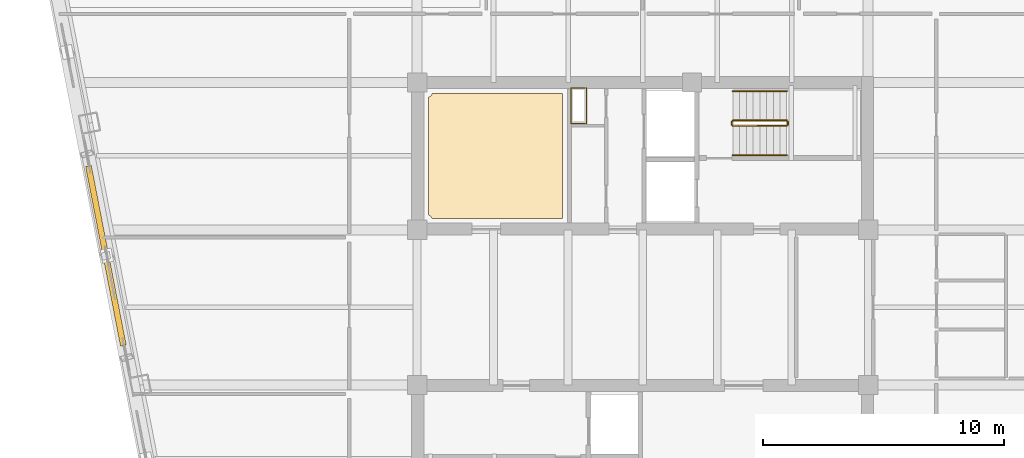
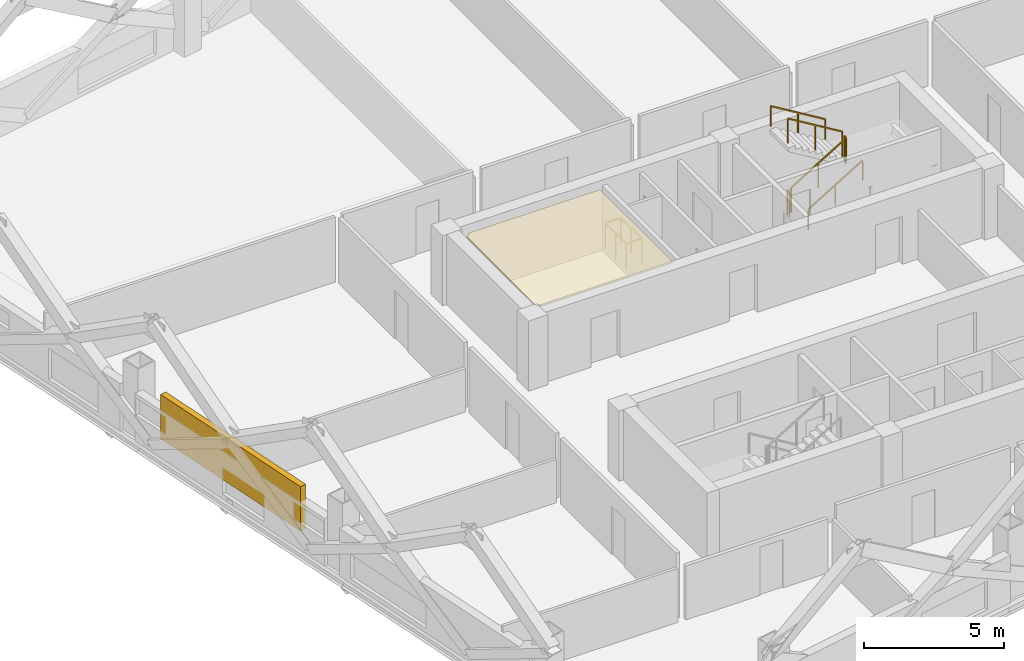
# One storey, part 9 of 10: 7 railings, 1 covering, 1 shading device.
"""IFC4 building model written with IfcOpenShell, lengths in metres."""

import ifcopenshell
import ifcopenshell.guid

model = None  # the IFC model being written
_history = None  # IfcOwnerHistory: only IFC2X3 demands one
_inside = {}  # id of a spatial element -> (the spatial element, [elements in it])
_under = {}  # id of a project, library or spatial element -> (it, [spatial elements below it])
_declared = {}  # id of a project -> (the project, [libraries it declares])
_typed = {}  # id of a type object -> (the type object, [elements of that type])
_made_of = {}  # id of a material, layer set ... -> (it, [elements and type objects made of it])


def new_model(schema):
    """Start an empty IFC model of exactly this schema.

    Asked for "IFC4X3", IfcOpenShell would pick the latest addendum, in which some entities
    have other attributes; the version numbers below select the first issue.
    IFC2X3 requires an IfcOwnerHistory on every rooted entity: one is made here for all.
    """
    global model, _history
    if schema == "IFC4X3":
        model = ifcopenshell.file(schema_version=(4, 3, 0, 0))
    else:
        model = ifcopenshell.file(schema=schema)
    _inside.clear()
    _under.clear()
    _declared.clear()
    _typed.clear()
    _made_of.clear()
    _history = None
    if model.schema == "IFC2X3":
        org = make("IfcOrganization", Name="unknown")
        user = make(
            "IfcPersonAndOrganization",
            ThePerson=make("IfcPerson", FamilyName="unknown"),
            TheOrganization=org,
        )
        app = make(
            "IfcApplication",
            ApplicationDeveloper=org,
            Version="unknown",
            ApplicationFullName="unknown",
            ApplicationIdentifier="unknown",
        )
        _history = make(
            "IfcOwnerHistory",
            OwningUser=user,
            OwningApplication=app,
            ChangeAction="ADDED",
            CreationDate=0,
        )
    return model


def make(cls, **values):
    """One entity of the class cls with the attributes given. An attribute that is None is left unset."""
    return model.create_entity(
        cls, **{name: value for name, value in values.items() if value is not None}
    )


def rooted(cls, **values):
    """An entity with a GlobalId (a new one), such as an element, a storey or a relation."""
    return make(cls, GlobalId=ifcopenshell.guid.new(), OwnerHistory=_history, **values)


def si_unit(unit_type, name, prefix=None):
    """IfcSIUnit, for example si_unit("LENGTHUNIT", "METRE", prefix="MILLI")."""
    return make("IfcSIUnit", UnitType=unit_type, Prefix=prefix, Name=name)


def assignment(units):
    """IfcUnitAssignment: the units of a project."""
    return None if units is None else make("IfcUnitAssignment", Units=units)


def point(xyz):
    """IfcCartesianPoint."""
    return None if xyz is None else make("IfcCartesianPoint", Coordinates=xyz)


def direction(xyz):
    """IfcDirection."""
    return None if xyz is None else make("IfcDirection", DirectionRatios=xyz)


def frame(location, z_axis=None, x_axis=None):
    """IfcAxis2Placement3D, a coordinate frame: its origin and axes. An axis left out is left unset."""
    return make(
        "IfcAxis2Placement3D",
        Location=point(location),
        Axis=direction(z_axis),
        RefDirection=direction(x_axis),
    )


def frame_2d(location, x_axis=None):
    """IfcAxis2Placement2D, a coordinate frame in the plane: its origin and x axis."""
    return make(
        "IfcAxis2Placement2D", Location=point(location), RefDirection=direction(x_axis)
    )


def origin():
    """The frame at (0, 0, 0) with its axes left unset."""
    return frame((0.0, 0.0, 0.0))


def origin_2d():
    """The frame at (0, 0) in the plane with its x axis left unset."""
    return frame_2d((0.0, 0.0))


def place(relative_to, where):
    """IfcLocalPlacement: puts the frame where relative to a parent placement (None: the world)."""
    return make(
        "IfcLocalPlacement", PlacementRelTo=relative_to, RelativePlacement=where
    )


def context(
    kind, dimensions, precision=None, world=None, true_north=None, identifier=None
):
    """IfcGeometricRepresentationContext, for example the 3D "Model" context."""
    return make(
        "IfcGeometricRepresentationContext",
        ContextIdentifier=identifier,
        ContextType=kind,
        CoordinateSpaceDimension=dimensions,
        Precision=precision,
        WorldCoordinateSystem=world,
        TrueNorth=true_north,
    )


def subcontext(parent, identifier, kind, view, scale=None):
    """IfcGeometricRepresentationSubContext, for example "Body" below "Model"."""
    return make(
        "IfcGeometricRepresentationSubContext",
        ContextIdentifier=identifier,
        ContextType=kind,
        ParentContext=parent,
        TargetScale=scale,
        TargetView=view,
    )


def project(units=None, contexts=None):
    """IfcProject with its units and contexts."""
    return rooted(
        "IfcProject",
        Name="project",
        RepresentationContexts=contexts,
        UnitsInContext=assignment(units),
    )


def spatial(cls, under=None, at=None, **own):
    """A site, building, storey or space (cls), placed at a placement, below another one or the project."""
    s = rooted(cls, ObjectPlacement=at, **own)
    if under is not None:
        _under.setdefault(under.id(), (under, []))[1].append(s)
    return s


def polyline(points):
    """IfcPolyline through the points."""
    return make("IfcPolyline", Points=[point(p) for p in points])


def profile(cls, at=None, kind="AREA", **sizes):
    """A parametric profile (cls). Its sizes go by their IFC names, for example OverallWidth=200.0."""
    return make(cls, ProfileType=kind, Position=at, **sizes)


def rectangle(**sizes):
    """IfcRectangleProfileDef."""
    return profile("IfcRectangleProfileDef", **sizes)


def outline(outer, holes=None, kind="AREA"):
    """IfcArbitraryClosedProfileDef: a profile drawn as a closed curve; with holes, ...WithVoids."""
    if holes is None:
        return make("IfcArbitraryClosedProfileDef", ProfileType=kind, OuterCurve=outer)
    return make(
        "IfcArbitraryProfileDefWithVoids",
        ProfileType=kind,
        OuterCurve=outer,
        InnerCurves=holes,
    )


def extrude(swept, where, along, depth):
    """IfcExtrudedAreaSolid: the profile swept, set in the frame where, extruded along a direction by depth."""
    return make(
        "IfcExtrudedAreaSolid",
        SweptArea=swept,
        Position=where,
        ExtrudedDirection=direction(along),
        Depth=depth,
    )


def shape(context_of_items, identifier, shape_type, items):
    """IfcShapeRepresentation: the items that make up one representation, for example the "Body"."""
    return make(
        "IfcShapeRepresentation",
        ContextOfItems=context_of_items,
        RepresentationIdentifier=identifier,
        RepresentationType=shape_type,
        Items=items,
    )


def material(Name=None, Category=None):
    """IfcMaterial."""
    return make("IfcMaterial", Name=Name, Category=Category)


def layer(
    of_material, thickness, ventilated=None, Name=None, Category=None, Priority=None
):
    """IfcMaterialLayer: one layer of a wall or slab, of a material (None: an air gap)."""
    return make(
        "IfcMaterialLayer",
        Material=of_material,
        LayerThickness=thickness,
        IsVentilated=ventilated,
        Name=Name,
        Category=Category,
        Priority=Priority,
    )


def layer_set(layers, Name=None):
    """IfcMaterialLayerSet."""
    return make("IfcMaterialLayerSet", MaterialLayers=layers, LayerSetName=Name)


def made_of(thing, what):
    """Note that an element or type object is made of a material, layer set ...; save() writes the relation."""
    if what is not None:
        _made_of.setdefault(what.id(), (what, []))[1].append(thing)
    return thing


def type_object(cls, material=None, **own):
    """A type object (cls), such as IfcWallType, which elements share."""
    return made_of(rooted(cls, **own), material)


def element(
    cls,
    number,
    at=None,
    inside=None,
    cuts=None,
    type_object=None,
    material=None,
    context=None,
    identifier="Body",
    shape_type=None,
    held_by="IfcProductDefinitionShape",
    body=None,
    shapes=None,
    **own,
):
    """One element of the class cls, such as IfcWall. Its Tag is "e" and its number.

    at: its placement. inside: the storey or other place that contains it. cuts: it is an
    opening in that element (IfcRelVoidsElement). A single representation is given by context,
    identifier, shape_type and body (its items); several are given by shapes. held_by: the class
    of the entity that holds the representations. save() writes the other relations.
    """
    e = rooted(cls, Tag="e%d" % number, ObjectPlacement=at, **own)
    if body is not None:
        shapes = [shape(context, identifier, shape_type, body)]
    if shapes is not None:
        e.Representation = make(held_by, Representations=shapes)
    if inside is not None:
        _inside.setdefault(inside.id(), (inside, []))[1].append(e)
    if cuts is not None:
        rooted(
            "IfcRelVoidsElement", RelatingBuildingElement=cuts, RelatedOpeningElement=e
        )
    if type_object is not None:
        _typed.setdefault(type_object.id(), (type_object, []))[1].append(e)
    return made_of(e, material)


def aggregate(whole, parts):
    """IfcRelAggregates: a whole, such as a stair, and the parts it consists of."""
    return rooted("IfcRelAggregates", RelatingObject=whole, RelatedObjects=parts)


def save(model, path):
    """Write the relations noted so far, then the file.

    IfcRelAggregates (storeys below a building ...), IfcRelContainedInSpatialStructure (elements
    in a storey), IfcRelDefinesByType, IfcRelAssociatesMaterial and IfcRelDeclares: one each for
    every whole, place, type object, material and project.
    """
    for whole, parts in _under.values():
        aggregate(whole, parts)
    for where, things in _inside.values():
        rooted(
            "IfcRelContainedInSpatialStructure",
            RelatedElements=things,
            RelatingStructure=where,
        )
    for kind, things in _typed.values():
        rooted("IfcRelDefinesByType", RelatedObjects=things, RelatingType=kind)
    for what, things in _made_of.values():
        rooted("IfcRelAssociatesMaterial", RelatedObjects=things, RelatingMaterial=what)
    for by, libraries in _declared.values():
        rooted("IfcRelDeclares", RelatingContext=by, RelatedDefinitions=libraries)
    model.write(path)


model = new_model("IFC4")

# Units and contexts
model_context = context("Model", 3, precision=1e-05, world=origin(), true_north=direction((0.0, 1.0)))
body_context = subcontext(model_context, "Body", "Model", "MODEL_VIEW")
ifc_project = project(units=[si_unit("LENGTHUNIT", "METRE"), si_unit("AREAUNIT", "SQUARE_METRE"), si_unit("VOLUMEUNIT", "CUBIC_METRE"), si_unit("PLANEANGLEUNIT", "RADIAN"), si_unit("MASSUNIT", "GRAM", prefix="KILO")], contexts=[model_context])

# Site, building, storey
site_placement = place(None, origin())
site = spatial("IfcSite", under=ifc_project, at=site_placement, CompositionType="ELEMENT")
building_placement = place(site_placement, origin())
building = spatial("IfcBuilding", under=site, at=building_placement, Name="Qhalaya Broadcast Tower", CompositionType="ELEMENT")
storey_placement = place(building_placement, frame((0.0, 0.0, 131.10009765625)))
storey = spatial("IfcBuildingStorey", under=building, at=storey_placement, Name="L38", CompositionType="ELEMENT", Elevation=131.10009765625)

# Covering
ifc_material_1 = material(Name="Acoustic Mineral-Fibre Ceiling")
ifc_layer = layer(ifc_material_1, 0.0400390625, Name="Acoustic Mineral-Fibre Ceiling")
ifc_layer_set = layer_set([ifc_layer], Name="Acoustic Mineral-Fibre Ceiling")
covering_type = type_object("IfcCoveringType", Name="Acoustic Mineral-Fibre Suspended Ceiling CLG-01", PredefinedType="CEILING", material=ifc_layer_set)
covering_placement = place(storey_placement, frame((0.0, 0.0, 2.789794921875)))
element("IfcCovering", 1, at=covering_placement, inside=storey, type_object=covering_type, Name="L38 Acoustic Suspended Ceiling 01", PredefinedType="CEILING", context=body_context, shape_type="SweptSolid", body=[
    extrude(outline(polyline([(-8.89697265625, 9.338623046875), (-8.89990234375, 9.337890625), (-8.89990234375, 4.437255859375), (-8.89697265625, 4.436279296875), (-8.87841796875, 4.4296875), (-8.860595703125, 4.42138671875), (-8.843994140625, 4.411376953125), (-8.828125, 4.399658203125), (-8.813720703125, 4.386474609375), (-8.80029296875, 4.371826171875), (-8.788818359375, 4.356201171875), (-8.778564453125, 4.33935546875), (-8.770263671875, 4.321533203125), (-8.763671875, 4.302978515625), (-8.7626953125, 4.300048828125), (-3.330078125, 4.300048828125), (-3.330078125, 9.5), (-8.757568359375, 9.5), (-8.7587890625, 9.490966796875), (-8.763671875, 9.471923828125), (-8.770263671875, 9.45361328125), (-8.778564453125, 9.435791015625), (-8.788818359375, 9.4189453125), (-8.80029296875, 9.403076171875), (-8.813720703125, 9.388671875), (-8.828125, 9.37548828125), (-8.843994140625, 9.36376953125), (-8.860595703125, 9.353515625), (-8.87841796875, 9.34521484375), (-8.89697265625, 9.338623046875)])), origin(), (0.0, 0.0, 1.0), 0.0400390625),
])

# Railings
ifc_material_2 = material(Name="Powder-Coated Galvanised Steel", Category="steel")
railing_type_1 = type_object("IfcRailingType", Name="Stair Wall Handrail 900", PredefinedType="HANDRAIL", material=ifc_material_2)
railing_1_placement = place(storey_placement, frame((3.75, 6.929931640625, 0.16943359375)))
element("IfcRailing", 2, at=railing_1_placement, inside=storey, type_object=railing_type_1, Name="L38 ST-1 Stair Handrail 1", PredefinedType="HANDRAIL", context=body_context, shape_type="SweptSolid", body=[
    extrude(rectangle(XDim=0.048095703125, YDim=0.048095703125, at=origin_2d()), frame((0.0, 0.0, 0.8759765625), z_axis=(0.855553338991, 0.0, 0.51771467445), x_axis=(0.0, 1.0, 0.0)), (0.0, 0.0, 1.0), 2.6181640625),
    extrude(rectangle(XDim=0.0419921875, YDim=0.0419921875, at=origin_2d()), origin(), (0.0, 0.0, 1.0), 0.849853515625),
    extrude(rectangle(XDim=0.0419921875, YDim=0.0419921875, at=origin_2d()), frame((1.1201171875, 0.0, 0.677734375)), (0.0, 0.0, 1.0), 0.849853515625),
    extrude(rectangle(XDim=0.0419921875, YDim=0.0419921875, at=origin_2d()), frame((2.239990234375, 0.0, 1.35546875)), (0.0, 0.0, 1.0), 0.849853515625),
])
railing_2_placement = place(storey_placement, frame((5.989990234375, 9.590087890625, 1.6943359375)))
element("IfcRailing", 3, at=railing_2_placement, inside=storey, type_object=railing_type_1, Name="L38 ST-1 Stair Handrail 2", PredefinedType="HANDRAIL", context=body_context, shape_type="SweptSolid", body=[
    extrude(rectangle(XDim=0.048095703125, YDim=0.048095703125, at=origin_2d()), frame((0.0, 0.0, 0.8759765625), z_axis=(-0.855553338991, 0.0, 0.51771467445), x_axis=(0.0, -1.0, 0.0)), (0.0, 0.0, 1.0), 2.6181640625),
    extrude(rectangle(XDim=0.0419921875, YDim=0.0419921875, at=origin_2d()), origin(), (0.0, 0.0, 1.0), 0.849853515625),
    extrude(rectangle(XDim=0.0419921875, YDim=0.0419921875, at=origin_2d()), frame((-1.1201171875, 0.0, 0.677734375)), (0.0, 0.0, 1.0), 0.849853515625),
    extrude(rectangle(XDim=0.0419921875, YDim=0.0419921875, at=origin_2d()), frame((-2.239990234375, 0.0, 1.35546875)), (0.0, 0.0, 1.0), 0.849853515625),
])
railing_type_2 = type_object("IfcRailingType", Name="Stair Well & Landing Guardrail 1100", PredefinedType="GUARDRAIL", material=ifc_material_2)
railing_3_placement = place(storey_placement, frame((-2.340087890625, 8.239990234375, 0.0)))
element("IfcRailing", 4, at=railing_3_placement, inside=storey, type_object=railing_type_2, Name="L38 Service Riser Opening Safety Guard NRSR", PredefinedType="GUARDRAIL", context=body_context, shape_type="SweptSolid", body=[
    extrude(rectangle(XDim=0.048095703125, YDim=0.048095703125, at=origin_2d()), frame((0.0, 0.02880859375, 1.1259765625), z_axis=(0.0, 1.0, 0.0), x_axis=(-1.0, 0.0, 0.0)), (0.0, 0.0, 1.0), 1.42236328125),
    extrude(rectangle(XDim=0.048095703125, YDim=0.048095703125, at=origin_2d()), frame((-0.02880859375, 1.47998046875, 1.1259765625), z_axis=(-1.0, 0.0, 0.0), x_axis=(0.0, -1.0, 0.0)), (0.0, 0.0, 1.0), 0.582275390625),
    extrude(rectangle(XDim=0.048095703125, YDim=0.048095703125, at=origin_2d()), frame((-0.639892578125, 1.451171875, 1.1259765625), z_axis=(0.0, -1.0, 0.0), x_axis=(1.0, 0.0, 0.0)), (0.0, 0.0, 1.0), 1.42236328125),
    extrude(rectangle(XDim=0.048095703125, YDim=0.048095703125, at=origin_2d()), frame((-0.611083984375, 0.0, 1.1259765625), z_axis=(1.0, 0.0, 0.0), x_axis=(0.0, 1.0, 0.0)), (0.0, 0.0, 1.0), 0.582275390625),
    extrude(rectangle(XDim=0.0419921875, YDim=0.0419921875, at=origin_2d()), origin(), (0.0, 0.0, 1.0), 1.099853515625),
    extrude(rectangle(XDim=0.0419921875, YDim=0.0419921875, at=origin_2d()), frame((0.0, 0.739990234375, 0.0)), (0.0, 0.0, 1.0), 1.099853515625),
    extrude(rectangle(XDim=0.0419921875, YDim=0.0419921875, at=origin_2d()), frame((0.0, 1.47998046875, 0.0)), (0.0, 0.0, 1.0), 1.099853515625),
    extrude(rectangle(XDim=0.0419921875, YDim=0.0419921875, at=origin_2d()), frame((-0.639892578125, 1.47998046875, 0.0)), (0.0, 0.0, 1.0), 1.099853515625),
    extrude(rectangle(XDim=0.0419921875, YDim=0.0419921875, at=origin_2d()), frame((-0.639892578125, 0.739990234375, 0.0)), (0.0, 0.0, 1.0), 1.099853515625),
    extrude(rectangle(XDim=0.0419921875, YDim=0.0419921875, at=origin_2d()), frame((-0.639892578125, 0.0, 0.0)), (0.0, 0.0, 1.0), 1.099853515625),
])
railing_4_placement = place(storey_placement, frame((3.75, 8.14990234375, 0.16943359375)))
element("IfcRailing", 5, at=railing_4_placement, inside=storey, type_object=railing_type_2, Name="L38 ST-1 Stair Guard 1", PredefinedType="GUARDRAIL", context=body_context, shape_type="SweptSolid", body=[
    extrude(rectangle(XDim=0.048095703125, YDim=0.048095703125, at=origin_2d()), frame((0.0, 0.0, 1.076171875), z_axis=(0.855553338991, 0.0, 0.51771467445), x_axis=(0.0, 1.0, 0.0)), (0.0, 0.0, 1.0), 2.6181640625),
    extrude(rectangle(XDim=0.0419921875, YDim=0.0419921875, at=origin_2d()), origin(), (0.0, 0.0, 1.0), 1.050048828125),
    extrude(rectangle(XDim=0.0419921875, YDim=0.0419921875, at=origin_2d()), frame((1.1201171875, 0.0, 0.677734375)), (0.0, 0.0, 1.0), 1.050048828125),
    extrude(rectangle(XDim=0.0419921875, YDim=0.0419921875, at=origin_2d()), frame((2.239990234375, 0.0, 1.35546875)), (0.0, 0.0, 1.0), 1.050048828125),
])
railing_5_placement = place(storey_placement, frame((6.0400390625, 8.199951171875, 1.52490234375)))
element("IfcRailing", 6, at=railing_5_placement, inside=storey, type_object=railing_type_2, Name="L38 ST-1 Stair Guard 2", PredefinedType="GUARDRAIL", context=body_context, shape_type="SweptSolid", body=[
    extrude(rectangle(XDim=0.048095703125, YDim=0.048095703125, at=origin_2d()), frame((0.0, 0.0, 1.076171875), z_axis=(0.0, 1.0, 0.0), x_axis=(-1.0, 0.0, 0.0)), (0.0, 0.0, 1.0), 0.1201171875),
    extrude(rectangle(XDim=0.0419921875, YDim=0.0419921875, at=origin_2d()), origin(), (0.0, 0.0, 1.0), 1.050048828125),
    extrude(rectangle(XDim=0.0419921875, YDim=0.0419921875, at=origin_2d()), frame((0.0, 0.1201171875, 0.0)), (0.0, 0.0, 1.0), 1.050048828125),
])
railing_6_placement = place(storey_placement, frame((5.989990234375, 8.3701171875, 1.6943359375)))
element("IfcRailing", 7, at=railing_6_placement, inside=storey, type_object=railing_type_2, Name="L38 ST-1 Stair Guard 3", PredefinedType="GUARDRAIL", context=body_context, shape_type="SweptSolid", body=[
    extrude(rectangle(XDim=0.048095703125, YDim=0.048095703125, at=origin_2d()), frame((0.0, 0.0, 1.076171875), z_axis=(-0.855553338991, 0.0, 0.51771467445), x_axis=(0.0, -1.0, 0.0)), (0.0, 0.0, 1.0), 2.6181640625),
    extrude(rectangle(XDim=0.0419921875, YDim=0.0419921875, at=origin_2d()), origin(), (0.0, 0.0, 1.0), 1.050048828125),
    extrude(rectangle(XDim=0.0419921875, YDim=0.0419921875, at=origin_2d()), frame((-1.1201171875, 0.0, 0.677734375)), (0.0, 0.0, 1.0), 1.050048828125),
    extrude(rectangle(XDim=0.0419921875, YDim=0.0419921875, at=origin_2d()), frame((-2.239990234375, 0.0, 1.35546875)), (0.0, 0.0, 1.0), 1.050048828125),
])
railing_7_placement = place(storey_placement, frame((3.699951171875, 8.199951171875, 0.0)))
element("IfcRailing", 8, at=railing_7_placement, inside=storey, type_object=railing_type_2, Name="L38 ST-1 Stair Guard 4", PredefinedType="GUARDRAIL", context=body_context, shape_type="SweptSolid", body=[
    extrude(rectangle(XDim=0.048095703125, YDim=0.048095703125, at=origin_2d()), frame((0.0, 0.0, 1.076171875), z_axis=(0.0, 1.0, 0.0), x_axis=(-1.0, 0.0, 0.0)), (0.0, 0.0, 1.0), 0.1201171875),
    extrude(rectangle(XDim=0.0419921875, YDim=0.0419921875, at=origin_2d()), origin(), (0.0, 0.0, 1.0), 1.050048828125),
    extrude(rectangle(XDim=0.0419921875, YDim=0.0419921875, at=origin_2d()), frame((0.0, 0.1201171875, 0.0)), (0.0, 0.0, 1.0), 1.050048828125),
])

# Shading device
ifc_material_3 = material(Name="Fired Architectural Terracotta", Category="masonry")
shading_device_type = type_object("IfcShadingDeviceType", Name="Terracotta Baguette Solar Screen Assembly TBS-01", PredefinedType="USERDEFINED", material=ifc_material_3)
shading_device_placement = place(storey_placement, frame((-22.3125, 2.742919921875, 0.79248046875), z_axis=(0.0, 0.0, 1.0), x_axis=(0.190808995377, -0.981627183448, 0.0)))
element("IfcShadingDevice", 9, at=shading_device_placement, inside=storey, type_object=shading_device_type, Name="L38 Fired Terracotta Baguette Screen W", ObjectType="BAGUETTE", PredefinedType="USERDEFINED", context=body_context, shape_type="SweptSolid", body=[
    extrude(rectangle(XDim=7.60009765625, YDim=0.239990234375, at=origin_2d()), origin(), (0.0, 0.0, 1.0), 1.924072265625),
])

save(model, "model.ifc")
